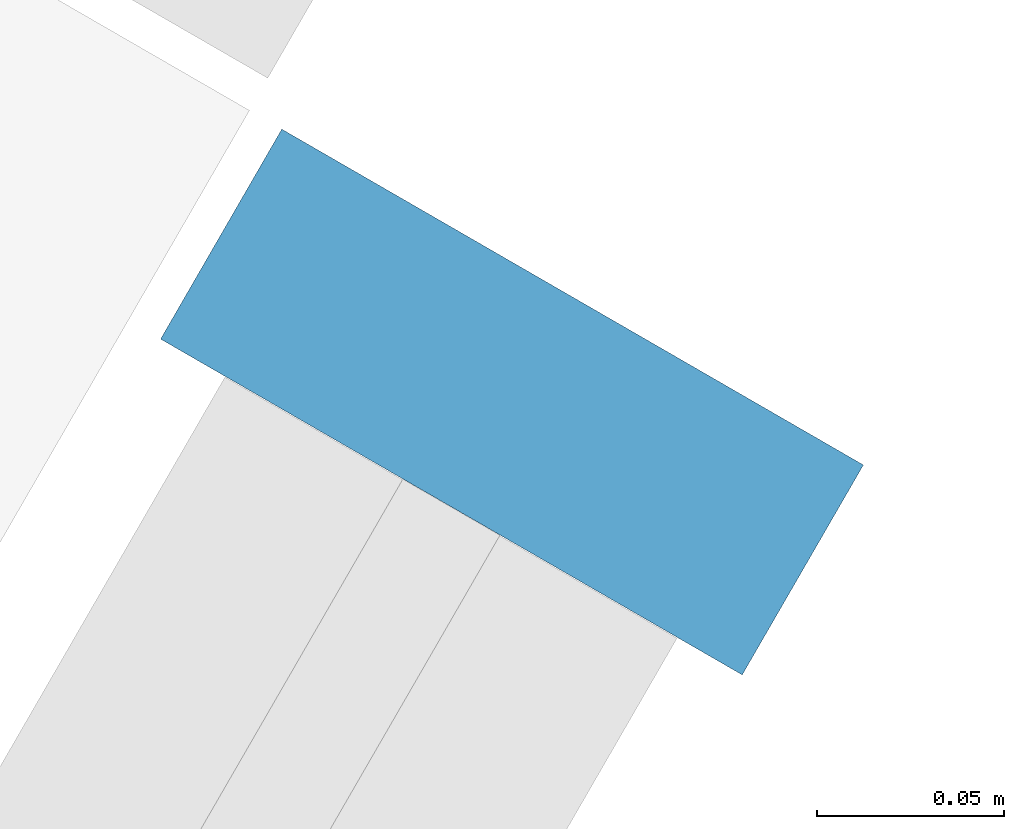
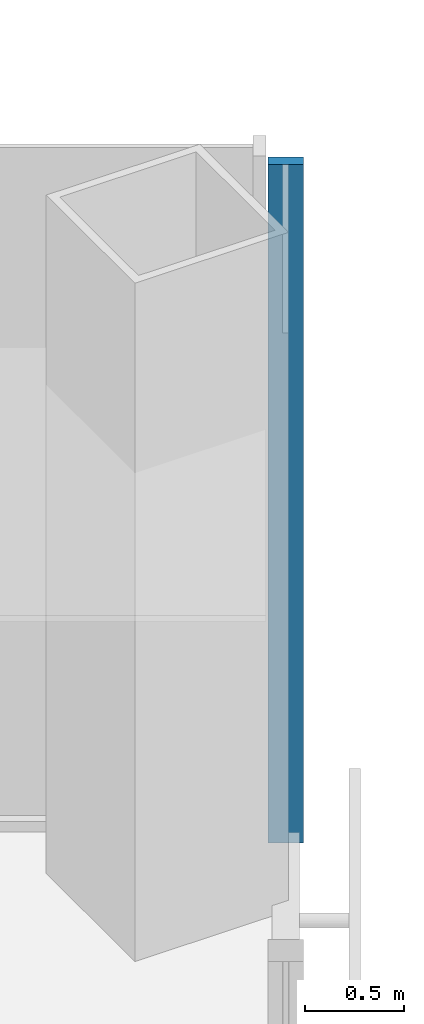
# One storey, part 8 of 16: 1 member, 1 element without a shape of its own.
"""IFC4 building model written with IfcOpenShell, lengths in metres."""

import ifcopenshell
import ifcopenshell.guid

model = None  # the IFC model being written
_history = None  # IfcOwnerHistory: only IFC2X3 demands one
_inside = {}  # id of a spatial element -> (the spatial element, [elements in it])
_under = {}  # id of a project, library or spatial element -> (it, [spatial elements below it])
_declared = {}  # id of a project -> (the project, [libraries it declares])
_typed = {}  # id of a type object -> (the type object, [elements of that type])
_made_of = {}  # id of a material, layer set ... -> (it, [elements and type objects made of it])


def new_model(schema):
    """Start an empty IFC model of exactly this schema.

    Asked for "IFC4X3", IfcOpenShell would pick the latest addendum, in which some entities
    have other attributes; the version numbers below select the first issue.
    IFC2X3 requires an IfcOwnerHistory on every rooted entity: one is made here for all.
    """
    global model, _history
    if schema == "IFC4X3":
        model = ifcopenshell.file(schema_version=(4, 3, 0, 0))
    else:
        model = ifcopenshell.file(schema=schema)
    _inside.clear()
    _under.clear()
    _declared.clear()
    _typed.clear()
    _made_of.clear()
    _history = None
    if model.schema == "IFC2X3":
        org = make("IfcOrganization", Name="unknown")
        user = make(
            "IfcPersonAndOrganization",
            ThePerson=make("IfcPerson", FamilyName="unknown"),
            TheOrganization=org,
        )
        app = make(
            "IfcApplication",
            ApplicationDeveloper=org,
            Version="unknown",
            ApplicationFullName="unknown",
            ApplicationIdentifier="unknown",
        )
        _history = make(
            "IfcOwnerHistory",
            OwningUser=user,
            OwningApplication=app,
            ChangeAction="ADDED",
            CreationDate=0,
        )
    return model


def make(cls, **values):
    """One entity of the class cls with the attributes given. An attribute that is None is left unset."""
    return model.create_entity(
        cls, **{name: value for name, value in values.items() if value is not None}
    )


def rooted(cls, **values):
    """An entity with a GlobalId (a new one), such as an element, a storey or a relation."""
    return make(cls, GlobalId=ifcopenshell.guid.new(), OwnerHistory=_history, **values)


def si_unit(unit_type, name, prefix=None):
    """IfcSIUnit, for example si_unit("LENGTHUNIT", "METRE", prefix="MILLI")."""
    return make("IfcSIUnit", UnitType=unit_type, Prefix=prefix, Name=name)


def assignment(units):
    """IfcUnitAssignment: the units of a project."""
    return None if units is None else make("IfcUnitAssignment", Units=units)


def point(xyz):
    """IfcCartesianPoint."""
    return None if xyz is None else make("IfcCartesianPoint", Coordinates=xyz)


def direction(xyz):
    """IfcDirection."""
    return None if xyz is None else make("IfcDirection", DirectionRatios=xyz)


def frame(location, z_axis=None, x_axis=None):
    """IfcAxis2Placement3D, a coordinate frame: its origin and axes. An axis left out is left unset."""
    return make(
        "IfcAxis2Placement3D",
        Location=point(location),
        Axis=direction(z_axis),
        RefDirection=direction(x_axis),
    )


def frame_2d(location, x_axis=None):
    """IfcAxis2Placement2D, a coordinate frame in the plane: its origin and x axis."""
    return make(
        "IfcAxis2Placement2D", Location=point(location), RefDirection=direction(x_axis)
    )


def origin():
    """The frame at (0, 0, 0) with its axes left unset."""
    return frame((0.0, 0.0, 0.0))


def origin_2d():
    """The frame at (0, 0) in the plane with its x axis left unset."""
    return frame_2d((0.0, 0.0))


def place(relative_to, where):
    """IfcLocalPlacement: puts the frame where relative to a parent placement (None: the world)."""
    return make(
        "IfcLocalPlacement", PlacementRelTo=relative_to, RelativePlacement=where
    )


def context(
    kind, dimensions, precision=None, world=None, true_north=None, identifier=None
):
    """IfcGeometricRepresentationContext, for example the 3D "Model" context."""
    return make(
        "IfcGeometricRepresentationContext",
        ContextIdentifier=identifier,
        ContextType=kind,
        CoordinateSpaceDimension=dimensions,
        Precision=precision,
        WorldCoordinateSystem=world,
        TrueNorth=true_north,
    )


def subcontext(parent, identifier, kind, view, scale=None):
    """IfcGeometricRepresentationSubContext, for example "Body" below "Model"."""
    return make(
        "IfcGeometricRepresentationSubContext",
        ContextIdentifier=identifier,
        ContextType=kind,
        ParentContext=parent,
        TargetScale=scale,
        TargetView=view,
    )


def project(units=None, contexts=None):
    """IfcProject with its units and contexts."""
    return rooted(
        "IfcProject",
        Name="project",
        RepresentationContexts=contexts,
        UnitsInContext=assignment(units),
    )


def spatial(cls, under=None, at=None, **own):
    """A site, building, storey or space (cls), placed at a placement, below another one or the project."""
    s = rooted(cls, ObjectPlacement=at, **own)
    if under is not None:
        _under.setdefault(under.id(), (under, []))[1].append(s)
    return s


def profile(cls, at=None, kind="AREA", **sizes):
    """A parametric profile (cls). Its sizes go by their IFC names, for example OverallWidth=200.0."""
    return make(cls, ProfileType=kind, Position=at, **sizes)


def rectangle(**sizes):
    """IfcRectangleProfileDef."""
    return profile("IfcRectangleProfileDef", **sizes)


def extrude(swept, where, along, depth):
    """IfcExtrudedAreaSolid: the profile swept, set in the frame where, extruded along a direction by depth."""
    return make(
        "IfcExtrudedAreaSolid",
        SweptArea=swept,
        Position=where,
        ExtrudedDirection=direction(along),
        Depth=depth,
    )


def shape(context_of_items, identifier, shape_type, items):
    """IfcShapeRepresentation: the items that make up one representation, for example the "Body"."""
    return make(
        "IfcShapeRepresentation",
        ContextOfItems=context_of_items,
        RepresentationIdentifier=identifier,
        RepresentationType=shape_type,
        Items=items,
    )


def material(Name=None, Category=None):
    """IfcMaterial."""
    return make("IfcMaterial", Name=Name, Category=Category)


def material_profile(
    of_material, cross_section, Name=None, Category=None, Priority=None
):
    """IfcMaterialProfile: a cross section and its material."""
    return make(
        "IfcMaterialProfile",
        Name=Name,
        Material=of_material,
        Profile=cross_section,
        Priority=Priority,
        Category=Category,
    )


def profile_set(profiles, Name=None, composite=None):
    """IfcMaterialProfileSet."""
    return make(
        "IfcMaterialProfileSet",
        Name=Name,
        MaterialProfiles=profiles,
        CompositeProfile=composite,
    )


def made_of(thing, what):
    """Note that an element or type object is made of a material, layer set ...; save() writes the relation."""
    if what is not None:
        _made_of.setdefault(what.id(), (what, []))[1].append(thing)
    return thing


def type_object(cls, material=None, **own):
    """A type object (cls), such as IfcWallType, which elements share."""
    return made_of(rooted(cls, **own), material)


def element(
    cls,
    number,
    at=None,
    inside=None,
    cuts=None,
    type_object=None,
    material=None,
    context=None,
    identifier="Body",
    shape_type=None,
    held_by="IfcProductDefinitionShape",
    body=None,
    shapes=None,
    **own,
):
    """One element of the class cls, such as IfcWall. Its Tag is "e" and its number.

    at: its placement. inside: the storey or other place that contains it. cuts: it is an
    opening in that element (IfcRelVoidsElement). A single representation is given by context,
    identifier, shape_type and body (its items); several are given by shapes. held_by: the class
    of the entity that holds the representations. save() writes the other relations.
    """
    e = rooted(cls, Tag="e%d" % number, ObjectPlacement=at, **own)
    if body is not None:
        shapes = [shape(context, identifier, shape_type, body)]
    if shapes is not None:
        e.Representation = make(held_by, Representations=shapes)
    if inside is not None:
        _inside.setdefault(inside.id(), (inside, []))[1].append(e)
    if cuts is not None:
        rooted(
            "IfcRelVoidsElement", RelatingBuildingElement=cuts, RelatedOpeningElement=e
        )
    if type_object is not None:
        _typed.setdefault(type_object.id(), (type_object, []))[1].append(e)
    return made_of(e, material)


def aggregate(whole, parts):
    """IfcRelAggregates: a whole, such as a stair, and the parts it consists of."""
    return rooted("IfcRelAggregates", RelatingObject=whole, RelatedObjects=parts)


def save(model, path):
    """Write the relations noted so far, then the file.

    IfcRelAggregates (storeys below a building ...), IfcRelContainedInSpatialStructure (elements
    in a storey), IfcRelDefinesByType, IfcRelAssociatesMaterial and IfcRelDeclares: one each for
    every whole, place, type object, material and project.
    """
    for whole, parts in _under.values():
        aggregate(whole, parts)
    for where, things in _inside.values():
        rooted(
            "IfcRelContainedInSpatialStructure",
            RelatedElements=things,
            RelatingStructure=where,
        )
    for kind, things in _typed.values():
        rooted("IfcRelDefinesByType", RelatedObjects=things, RelatingType=kind)
    for what, things in _made_of.values():
        rooted("IfcRelAssociatesMaterial", RelatedObjects=things, RelatingMaterial=what)
    for by, libraries in _declared.values():
        rooted("IfcRelDeclares", RelatingContext=by, RelatedDefinitions=libraries)
    model.write(path)


model = new_model("IFC4")

# Units and contexts
model_context = context("Model", 3, precision=1e-05, world=origin(), true_north=direction((0.0, 1.0)))
body_context = subcontext(model_context, "Body", "Model", "MODEL_VIEW")
ifc_project = project(units=[si_unit("LENGTHUNIT", "METRE"), si_unit("AREAUNIT", "SQUARE_METRE"), si_unit("VOLUMEUNIT", "CUBIC_METRE"), si_unit("PLANEANGLEUNIT", "RADIAN"), si_unit("MASSUNIT", "GRAM", prefix="KILO")], contexts=[model_context])

# Site, building, storey
site_placement = place(None, origin())
site = spatial("IfcSite", under=ifc_project, at=site_placement, CompositionType="ELEMENT")
building_placement = place(site_placement, origin())
building = spatial("IfcBuilding", under=site, at=building_placement, Name="Kasaneha Research Tower", CompositionType="ELEMENT")
storey_placement = place(building_placement, frame((0.0, 0.0, 18.39990234375)))
storey = spatial("IfcBuildingStorey", under=building, at=storey_placement, Name="L05", CompositionType="ELEMENT", Elevation=18.39990234375)

# Curtain wall, member
ifc_material_1 = material(Name="Glass and aluminium", Category="aluminium")
curtain_wall_type = type_object("IfcCurtainWallType", Name="Wet laboratory curtain wall", PredefinedType="USERDEFINED", material=ifc_material_1)
curtain_wall_placement = place(storey_placement, origin())
curtain_wall = element("IfcCurtainWall", 1, at=curtain_wall_placement, inside=storey, type_object=curtain_wall_type, Name="CW-L1 L05 run 05a", ObjectType="UNITISED CURTAIN WALL", PredefinedType="USERDEFINED")
ifc_material_2 = material(Name="Aluminium 6063-T6", Category="aluminium")
ifc_material_profile = material_profile(ifc_material_2, rectangle(XDim=0.06494140625, YDim=0.179931640625, at=origin_2d()), Name="CW-L1 mullion 65x180")
ifc_profile_set = profile_set([ifc_material_profile], Name="Aluminium 6063-T6")
member_type = type_object("IfcMemberType", Name="CW-L1 mullion", PredefinedType="MULLION", material=ifc_profile_set)
member_placement = place(storey_placement, frame((32.01171875, -6.39501953125, 0.0), z_axis=(0.0, 0.0, 1.0), x_axis=(0.500000011442, 0.866025397178, 0.0)))
member = element("IfcMember", 2, at=member_placement, type_object=member_type, Name="CW-L1 mullion 4", PredefinedType="MULLION", context=body_context, shape_type="SweptSolid", body=[
    extrude(rectangle(XDim=0.06494140625, YDim=0.179931640625, at=origin_2d()), origin(), (0.0, 0.0, 1.0), 4.2001953125),
])
aggregate(curtain_wall, [member])

save(model, "model.ifc")
